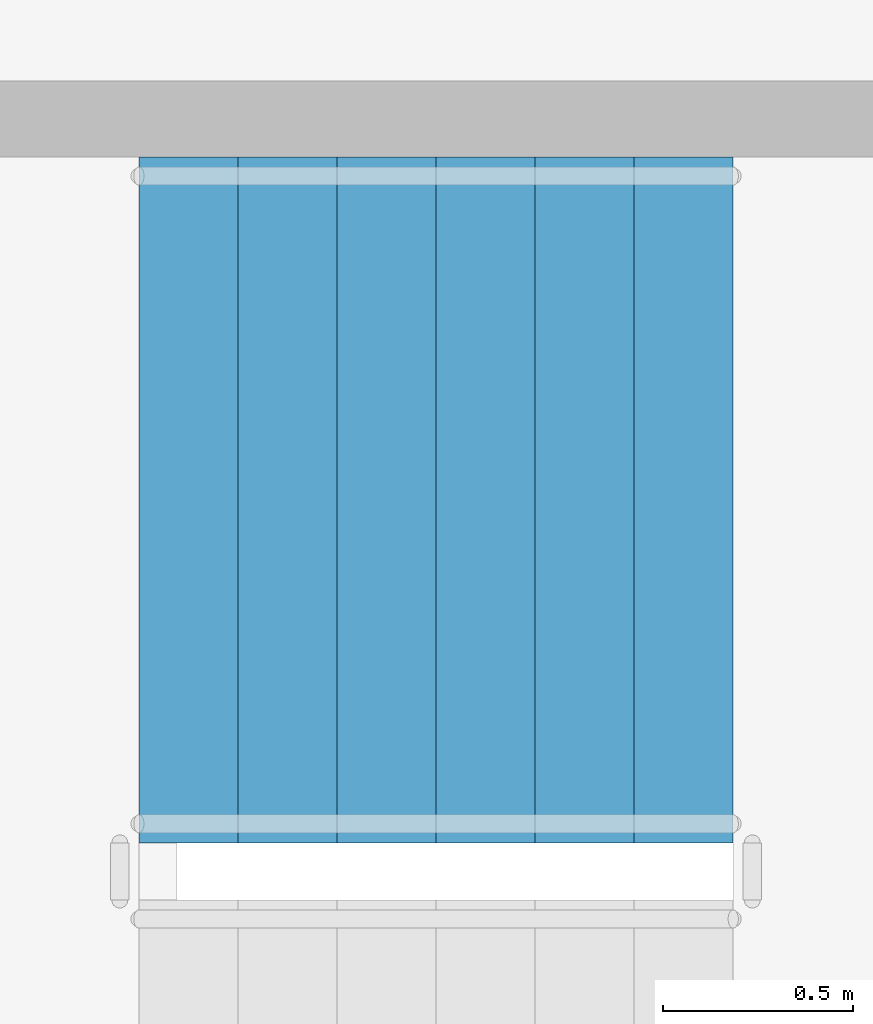
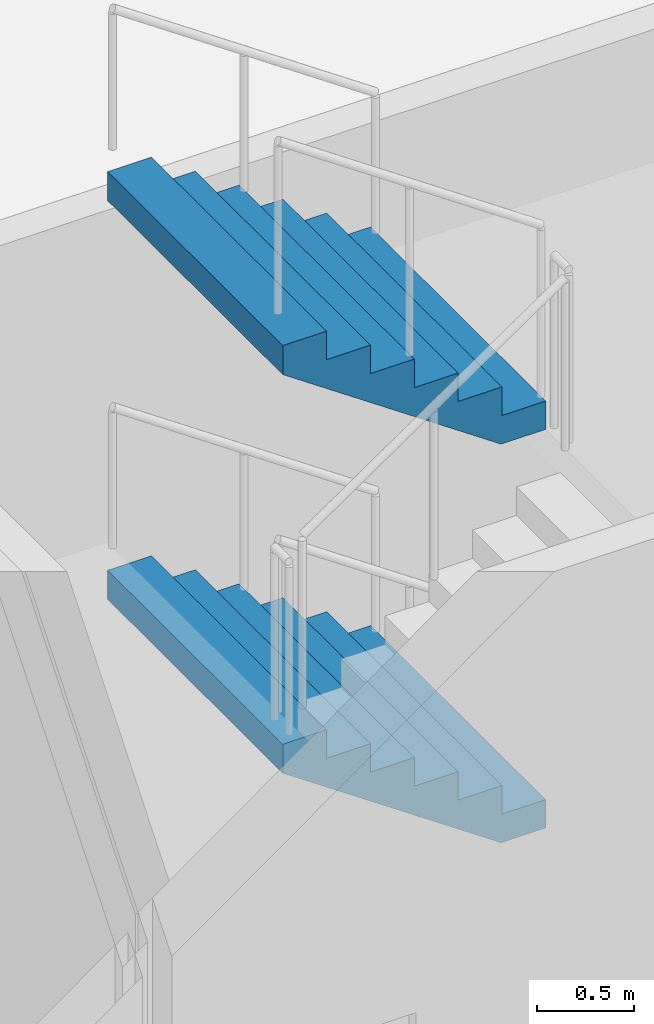
# One storey, part 27 of 59: 2 stair flights, 1 element without a shape of its own.
"""IFC4 building model written with IfcOpenShell, lengths in metres."""

from ifc_helpers import new_model, si_unit, direction, frame, origin, place, context, subcontext, project, spatial, faceted_brep, material, type_object, element, aggregate, save


model = new_model("IFC4")

# Units and contexts
model_context = context("Model", 3, precision=1e-05, world=origin(), true_north=direction((0.0, 1.0)))
body_context = subcontext(model_context, "Body", "Model", "MODEL_VIEW")
ifc_project = project(units=[si_unit("LENGTHUNIT", "METRE"), si_unit("AREAUNIT", "SQUARE_METRE"), si_unit("VOLUMEUNIT", "CUBIC_METRE"), si_unit("PLANEANGLEUNIT", "RADIAN"), si_unit("MASSUNIT", "GRAM", prefix="KILO")], contexts=[model_context])

# Site, building, storey
site_placement = place(None, origin())
site = spatial("IfcSite", under=ifc_project, at=site_placement, CompositionType="ELEMENT")
building_placement = place(site_placement, origin())
building = spatial("IfcBuilding", under=site, at=building_placement, Name="Ipe Terrace Towers", CompositionType="ELEMENT")
storey_placement = place(building_placement, frame((0.0, 0.0, 6.0)))
storey = spatial("IfcBuildingStorey", under=building, at=storey_placement, Name="L01", CompositionType="ELEMENT", Elevation=6.0)

# Stair, stair flights
ifc_material_1 = material(Name="Concrete C30/37", Category="concrete")
stair_type = type_object("IfcStairType", Name="Protected exit stair", PredefinedType="HALF_TURN_STAIR", material=ifc_material_1)
stair_placement = place(storey_placement, origin())
stair = element("IfcStair", 1, at=stair_placement, inside=storey, type_object=stair_type, Name="L01 Podium exit stair PS4", PredefinedType="HALF_TURN_STAIR")
ifc_material_2 = material(Name="Concrete C30/37", Category="concrete")
stair_flight_type = type_object("IfcStairFlightType", Name="Exit stair flight 1800", PredefinedType="STRAIGHT", material=ifc_material_2)
stair_flight_1_placement = place(storey_placement, frame((-55.7099609375, -20.550048828125, 1.25), z_axis=(0.0, 0.0, 1.0), x_axis=(-1.0, 0.0, 0.0)))
stair_flight_1 = element("IfcStairFlight", 2, at=stair_flight_1_placement, type_object=stair_flight_type, Name="PS4 flight 2", NumberOfRisers=7, NumberOfTreads=6, PredefinedType="STRAIGHT", RiserHeight=0.178571429, TreadLength=0.26, context=body_context, shape_type="Brep", body=[
    faceted_brep([(0.264892578125, -0.89990234375, 0.0), (1.56005859375, -0.89990234375, 0.8896484375), (1.56005859375, -0.89990234375, 1.071533203125), (1.300048828125, -0.89990234375, 1.071533203125), (1.300048828125, -0.89990234375, 0.892822265625), (1.0400390625, -0.89990234375, 0.892822265625), (1.0400390625, -0.89990234375, 0.71435546875), (0.780029296875, -0.89990234375, 0.71435546875), (0.780029296875, -0.89990234375, 0.53564453125), (0.52001953125, -0.89990234375, 0.53564453125), (0.52001953125, -0.89990234375, 0.357177734375), (0.260009765625, -0.89990234375, 0.357177734375), (0.260009765625, -0.89990234375, 0.178466796875), (0.0, -0.89990234375, 0.178466796875), (0.0, -0.89990234375, 0.0), (0.0, 0.89990234375, 0.0), (0.0, 0.89990234375, 0.178466796875), (0.260009765625, 0.89990234375, 0.178466796875), (0.260009765625, 0.89990234375, 0.357177734375), (0.52001953125, 0.89990234375, 0.357177734375), (0.52001953125, 0.89990234375, 0.53564453125), (0.780029296875, 0.89990234375, 0.53564453125), (0.780029296875, 0.89990234375, 0.71435546875), (1.0400390625, 0.89990234375, 0.71435546875), (1.0400390625, 0.89990234375, 0.892822265625), (1.300048828125, 0.89990234375, 0.892822265625), (1.300048828125, 0.89990234375, 1.071533203125), (1.56005859375, 0.89990234375, 1.071533203125), (1.56005859375, 0.89990234375, 0.8896484375), (0.264892578125, 0.89990234375, 0.0), (0.0, -0.300048828125, 0.178466796875), (0.0, -0.1201171875, 0.178466796875), (0.0, -0.06005859375, 0.178466796875), (0.0, -0.030029296875, 0.178466796875), (0.0, -0.010009765625, 0.178466796875), (0.0, 0.0, 0.178466796875), (0.0, 0.010009765625, 0.178466796875), (0.0, 0.030029296875, 0.178466796875), (0.0, 0.06005859375, 0.178466796875), (0.0, 0.1201171875, 0.178466796875), (0.0, 0.300048828125, 0.178466796875), (0.0, 0.300048828125, 0.0), (0.0, 0.1201171875, 0.0), (0.0, 0.06005859375, 0.0), (0.0, 0.030029296875, 0.0), (0.0, 0.010009765625, 0.0), (0.0, 0.0, 0.0), (0.0, -0.010009765625, 0.0), (0.0, -0.030029296875, 0.0), (0.0, -0.06005859375, 0.0), (0.0, -0.1201171875, 0.0), (0.0, -0.300048828125, 0.0), (0.260009765625, -0.300048828125, 0.178466796875), (0.260009765625, -0.1201171875, 0.178466796875), (0.260009765625, -0.06005859375, 0.178466796875), (0.260009765625, -0.030029296875, 0.178466796875), (0.260009765625, -0.010009765625, 0.178466796875), (0.260009765625, 0.0, 0.178466796875), (0.260009765625, 0.010009765625, 0.178466796875), (0.260009765625, 0.030029296875, 0.178466796875), (0.260009765625, 0.06005859375, 0.178466796875), (0.260009765625, 0.1201171875, 0.178466796875), (0.260009765625, 0.300048828125, 0.178466796875), (0.260009765625, -0.300048828125, 0.357177734375), (0.260009765625, -0.1201171875, 0.357177734375), (0.260009765625, -0.06005859375, 0.357177734375), (0.260009765625, -0.030029296875, 0.357177734375), (0.260009765625, -0.010009765625, 0.357177734375), (0.260009765625, 0.0, 0.357177734375), (0.260009765625, 0.010009765625, 0.357177734375), (0.260009765625, 0.030029296875, 0.357177734375), (0.260009765625, 0.06005859375, 0.357177734375), (0.260009765625, 0.1201171875, 0.357177734375), (0.260009765625, 0.300048828125, 0.357177734375), (0.52001953125, -0.300048828125, 0.357177734375), (0.52001953125, -0.1201171875, 0.357177734375), (0.52001953125, -0.06005859375, 0.357177734375), (0.52001953125, -0.030029296875, 0.357177734375), (0.52001953125, -0.010009765625, 0.357177734375), (0.52001953125, 0.0, 0.357177734375), (0.52001953125, 0.010009765625, 0.357177734375), (0.52001953125, 0.030029296875, 0.357177734375), (0.52001953125, 0.06005859375, 0.357177734375), (0.52001953125, 0.1201171875, 0.357177734375), (0.52001953125, 0.300048828125, 0.357177734375), (0.52001953125, -0.300048828125, 0.53564453125), (0.52001953125, -0.1201171875, 0.53564453125), (0.52001953125, -0.06005859375, 0.53564453125), (0.52001953125, -0.030029296875, 0.53564453125), (0.52001953125, -0.010009765625, 0.53564453125), (0.52001953125, 0.0, 0.53564453125), (0.52001953125, 0.010009765625, 0.53564453125), (0.52001953125, 0.030029296875, 0.53564453125), (0.52001953125, 0.06005859375, 0.53564453125), (0.52001953125, 0.1201171875, 0.53564453125), (0.52001953125, 0.300048828125, 0.53564453125), (0.780029296875, -0.300048828125, 0.53564453125), (0.780029296875, -0.1201171875, 0.53564453125), (0.780029296875, -0.06005859375, 0.53564453125), (0.780029296875, -0.030029296875, 0.53564453125), (0.780029296875, -0.010009765625, 0.53564453125), (0.780029296875, 0.0, 0.53564453125), (0.780029296875, 0.010009765625, 0.53564453125), (0.780029296875, 0.030029296875, 0.53564453125), (0.780029296875, 0.06005859375, 0.53564453125), (0.780029296875, 0.1201171875, 0.53564453125), (0.780029296875, 0.300048828125, 0.53564453125), (0.780029296875, -0.300048828125, 0.71435546875), (0.780029296875, -0.1201171875, 0.71435546875), (0.780029296875, -0.06005859375, 0.71435546875), (0.780029296875, -0.030029296875, 0.71435546875), (0.780029296875, -0.010009765625, 0.71435546875), (0.780029296875, 0.0, 0.71435546875), (0.780029296875, 0.010009765625, 0.71435546875), (0.780029296875, 0.030029296875, 0.71435546875), (0.780029296875, 0.06005859375, 0.71435546875), (0.780029296875, 0.1201171875, 0.71435546875), (0.780029296875, 0.300048828125, 0.71435546875), (1.0400390625, -0.300048828125, 0.71435546875), (1.0400390625, -0.1201171875, 0.71435546875), (1.0400390625, -0.06005859375, 0.71435546875), (1.0400390625, -0.030029296875, 0.71435546875), (1.0400390625, -0.010009765625, 0.71435546875), (1.0400390625, 0.0, 0.71435546875), (1.0400390625, 0.010009765625, 0.71435546875), (1.0400390625, 0.030029296875, 0.71435546875), (1.0400390625, 0.06005859375, 0.71435546875), (1.0400390625, 0.1201171875, 0.71435546875), (1.0400390625, 0.300048828125, 0.71435546875), (1.0400390625, -0.300048828125, 0.892822265625), (1.0400390625, -0.1201171875, 0.892822265625), (1.0400390625, -0.06005859375, 0.892822265625), (1.0400390625, -0.030029296875, 0.892822265625), (1.0400390625, -0.010009765625, 0.892822265625), (1.0400390625, 0.0, 0.892822265625), (1.0400390625, 0.010009765625, 0.892822265625), (1.0400390625, 0.030029296875, 0.892822265625), (1.0400390625, 0.06005859375, 0.892822265625), (1.0400390625, 0.1201171875, 0.892822265625), (1.0400390625, 0.300048828125, 0.892822265625), (1.300048828125, -0.300048828125, 0.892822265625), (1.300048828125, -0.1201171875, 0.892822265625), (1.300048828125, -0.06005859375, 0.892822265625), (1.300048828125, -0.030029296875, 0.892822265625), (1.300048828125, -0.010009765625, 0.892822265625), (1.300048828125, 0.0, 0.892822265625), (1.300048828125, 0.010009765625, 0.892822265625), (1.300048828125, 0.030029296875, 0.892822265625), (1.300048828125, 0.06005859375, 0.892822265625), (1.300048828125, 0.1201171875, 0.892822265625), (1.300048828125, 0.300048828125, 0.892822265625), (1.300048828125, -0.300048828125, 1.071533203125), (1.300048828125, -0.1201171875, 1.071533203125), (1.300048828125, -0.06005859375, 1.071533203125), (1.300048828125, -0.030029296875, 1.071533203125), (1.300048828125, -0.010009765625, 1.071533203125), (1.300048828125, 0.0, 1.071533203125), (1.300048828125, 0.010009765625, 1.071533203125), (1.300048828125, 0.030029296875, 1.071533203125), (1.300048828125, 0.06005859375, 1.071533203125), (1.300048828125, 0.1201171875, 1.071533203125), (1.300048828125, 0.300048828125, 1.071533203125), (1.56005859375, -0.300048828125, 1.071533203125), (1.56005859375, -0.1201171875, 1.071533203125), (1.56005859375, -0.06005859375, 1.071533203125), (1.56005859375, -0.030029296875, 1.071533203125), (1.56005859375, -0.010009765625, 1.071533203125), (1.56005859375, 0.0, 1.071533203125), (1.56005859375, 0.010009765625, 1.071533203125), (1.56005859375, 0.030029296875, 1.071533203125), (1.56005859375, 0.06005859375, 1.071533203125), (1.56005859375, 0.1201171875, 1.071533203125), (1.56005859375, 0.300048828125, 1.071533203125), (1.56005859375, -0.300048828125, 0.8896484375), (1.56005859375, -0.1201171875, 0.8896484375), (1.56005859375, -0.06005859375, 0.8896484375), (1.56005859375, -0.030029296875, 0.8896484375), (1.56005859375, -0.010009765625, 0.8896484375), (1.56005859375, 0.0, 0.8896484375), (1.56005859375, 0.010009765625, 0.8896484375), (1.56005859375, 0.030029296875, 0.8896484375), (1.56005859375, 0.06005859375, 0.8896484375), (1.56005859375, 0.1201171875, 0.8896484375), (1.56005859375, 0.300048828125, 0.8896484375), (0.264892578125, -0.300048828125, 0.0), (0.264892578125, -0.1201171875, 0.0), (0.264892578125, -0.06005859375, 0.0), (0.264892578125, -0.030029296875, 0.0), (0.264892578125, -0.010009765625, 0.0), (0.264892578125, 0.0, 0.0), (0.264892578125, 0.010009765625, 0.0), (0.264892578125, 0.030029296875, 0.0), (0.264892578125, 0.06005859375, 0.0), (0.264892578125, 0.1201171875, 0.0), (0.264892578125, 0.300048828125, 0.0)], [[[0, 1, 2, 3, 4, 5, 6, 7, 8, 9, 10, 11, 12, 13, 14]], [[15, 16, 17, 18, 19, 20, 21, 22, 23, 24, 25, 26, 27, 28, 29]], [[13, 30, 31, 32, 33, 34, 35, 36, 37, 38, 39, 40, 16, 15, 41, 42, 43, 44, 45, 46, 47, 48, 49, 50, 51, 14]], [[12, 52, 53, 54, 55, 56, 57, 58, 59, 60, 61, 62, 17, 16, 40, 39, 38, 37, 36, 35, 34, 33, 32, 31, 30, 13]], [[11, 63, 64, 65, 66, 67, 68, 69, 70, 71, 72, 73, 18, 17, 62, 61, 60, 59, 58, 57, 56, 55, 54, 53, 52, 12]], [[10, 74, 75, 76, 77, 78, 79, 80, 81, 82, 83, 84, 19, 18, 73, 72, 71, 70, 69, 68, 67, 66, 65, 64, 63, 11]], [[9, 85, 86, 87, 88, 89, 90, 91, 92, 93, 94, 95, 20, 19, 84, 83, 82, 81, 80, 79, 78, 77, 76, 75, 74, 10]], [[8, 96, 97, 98, 99, 100, 101, 102, 103, 104, 105, 106, 21, 20, 95, 94, 93, 92, 91, 90, 89, 88, 87, 86, 85, 9]], [[7, 107, 108, 109, 110, 111, 112, 113, 114, 115, 116, 117, 22, 21, 106, 105, 104, 103, 102, 101, 100, 99, 98, 97, 96, 8]], [[6, 118, 119, 120, 121, 122, 123, 124, 125, 126, 127, 128, 23, 22, 117, 116, 115, 114, 113, 112, 111, 110, 109, 108, 107, 7]], [[5, 129, 130, 131, 132, 133, 134, 135, 136, 137, 138, 139, 24, 23, 128, 127, 126, 125, 124, 123, 122, 121, 120, 119, 118, 6]], [[4, 140, 141, 142, 143, 144, 145, 146, 147, 148, 149, 150, 25, 24, 139, 138, 137, 136, 135, 134, 133, 132, 131, 130, 129, 5]], [[3, 151, 152, 153, 154, 155, 156, 157, 158, 159, 160, 161, 26, 25, 150, 149, 148, 147, 146, 145, 144, 143, 142, 141, 140, 4]], [[2, 162, 163, 164, 165, 166, 167, 168, 169, 170, 171, 172, 27, 26, 161, 160, 159, 158, 157, 156, 155, 154, 153, 152, 151, 3]], [[1, 173, 174, 175, 176, 177, 178, 179, 180, 181, 182, 183, 28, 27, 172, 171, 170, 169, 168, 167, 166, 165, 164, 163, 162, 2]], [[0, 184, 185, 186, 187, 188, 189, 190, 191, 192, 193, 194, 29, 28, 183, 182, 181, 180, 179, 178, 177, 176, 175, 174, 173, 1]], [[14, 51, 50, 49, 48, 47, 46, 45, 44, 43, 42, 41, 15, 29, 194, 193, 192, 191, 190, 189, 188, 187, 186, 185, 184, 0]]]),
])
stair_flight_2_placement = place(storey_placement, frame((-55.7099609375, -20.550048828125, 3.75), z_axis=(0.0, 0.0, 1.0), x_axis=(-1.0, 0.0, 0.0)))
stair_flight_2 = element("IfcStairFlight", 3, at=stair_flight_2_placement, type_object=stair_flight_type, Name="PS4 flight 4", NumberOfRisers=7, NumberOfTreads=6, PredefinedType="STRAIGHT", RiserHeight=0.178571429, TreadLength=0.26, context=body_context, shape_type="Brep", body=[
    faceted_brep([(0.264892578125, -0.89990234375, 0.0), (1.56005859375, -0.89990234375, 0.8896484375), (1.56005859375, -0.89990234375, 1.071533203125), (1.300048828125, -0.89990234375, 1.071533203125), (1.300048828125, -0.89990234375, 0.892822265625), (1.0400390625, -0.89990234375, 0.892822265625), (1.0400390625, -0.89990234375, 0.71435546875), (0.780029296875, -0.89990234375, 0.71435546875), (0.780029296875, -0.89990234375, 0.53564453125), (0.52001953125, -0.89990234375, 0.53564453125), (0.52001953125, -0.89990234375, 0.357177734375), (0.260009765625, -0.89990234375, 0.357177734375), (0.260009765625, -0.89990234375, 0.178466796875), (0.0, -0.89990234375, 0.178466796875), (0.0, -0.89990234375, 0.0), (0.0, 0.89990234375, 0.0), (0.0, 0.89990234375, 0.178466796875), (0.260009765625, 0.89990234375, 0.178466796875), (0.260009765625, 0.89990234375, 0.357177734375), (0.52001953125, 0.89990234375, 0.357177734375), (0.52001953125, 0.89990234375, 0.53564453125), (0.780029296875, 0.89990234375, 0.53564453125), (0.780029296875, 0.89990234375, 0.71435546875), (1.0400390625, 0.89990234375, 0.71435546875), (1.0400390625, 0.89990234375, 0.892822265625), (1.300048828125, 0.89990234375, 0.892822265625), (1.300048828125, 0.89990234375, 1.071533203125), (1.56005859375, 0.89990234375, 1.071533203125), (1.56005859375, 0.89990234375, 0.8896484375), (0.264892578125, 0.89990234375, 0.0), (0.0, -0.300048828125, 0.178466796875), (0.0, -0.1201171875, 0.178466796875), (0.0, -0.06005859375, 0.178466796875), (0.0, -0.030029296875, 0.178466796875), (0.0, -0.010009765625, 0.178466796875), (0.0, 0.0, 0.178466796875), (0.0, 0.010009765625, 0.178466796875), (0.0, 0.030029296875, 0.178466796875), (0.0, 0.06005859375, 0.178466796875), (0.0, 0.1201171875, 0.178466796875), (0.0, 0.300048828125, 0.178466796875), (0.0, 0.300048828125, 0.0), (0.0, 0.1201171875, 0.0), (0.0, 0.06005859375, 0.0), (0.0, 0.030029296875, 0.0), (0.0, 0.010009765625, 0.0), (0.0, 0.0, 0.0), (0.0, -0.010009765625, 0.0), (0.0, -0.030029296875, 0.0), (0.0, -0.06005859375, 0.0), (0.0, -0.1201171875, 0.0), (0.0, -0.300048828125, 0.0), (0.260009765625, -0.300048828125, 0.178466796875), (0.260009765625, -0.1201171875, 0.178466796875), (0.260009765625, -0.06005859375, 0.178466796875), (0.260009765625, -0.030029296875, 0.178466796875), (0.260009765625, -0.010009765625, 0.178466796875), (0.260009765625, 0.0, 0.178466796875), (0.260009765625, 0.010009765625, 0.178466796875), (0.260009765625, 0.030029296875, 0.178466796875), (0.260009765625, 0.06005859375, 0.178466796875), (0.260009765625, 0.1201171875, 0.178466796875), (0.260009765625, 0.300048828125, 0.178466796875), (0.260009765625, -0.300048828125, 0.357177734375), (0.260009765625, -0.1201171875, 0.357177734375), (0.260009765625, -0.06005859375, 0.357177734375), (0.260009765625, -0.030029296875, 0.357177734375), (0.260009765625, -0.010009765625, 0.357177734375), (0.260009765625, 0.0, 0.357177734375), (0.260009765625, 0.010009765625, 0.357177734375), (0.260009765625, 0.030029296875, 0.357177734375), (0.260009765625, 0.06005859375, 0.357177734375), (0.260009765625, 0.1201171875, 0.357177734375), (0.260009765625, 0.300048828125, 0.357177734375), (0.52001953125, -0.300048828125, 0.357177734375), (0.52001953125, -0.1201171875, 0.357177734375), (0.52001953125, -0.06005859375, 0.357177734375), (0.52001953125, -0.030029296875, 0.357177734375), (0.52001953125, -0.010009765625, 0.357177734375), (0.52001953125, 0.0, 0.357177734375), (0.52001953125, 0.010009765625, 0.357177734375), (0.52001953125, 0.030029296875, 0.357177734375), (0.52001953125, 0.06005859375, 0.357177734375), (0.52001953125, 0.1201171875, 0.357177734375), (0.52001953125, 0.300048828125, 0.357177734375), (0.52001953125, -0.300048828125, 0.53564453125), (0.52001953125, -0.1201171875, 0.53564453125), (0.52001953125, -0.06005859375, 0.53564453125), (0.52001953125, -0.030029296875, 0.53564453125), (0.52001953125, -0.010009765625, 0.53564453125), (0.52001953125, 0.0, 0.53564453125), (0.52001953125, 0.010009765625, 0.53564453125), (0.52001953125, 0.030029296875, 0.53564453125), (0.52001953125, 0.06005859375, 0.53564453125), (0.52001953125, 0.1201171875, 0.53564453125), (0.52001953125, 0.300048828125, 0.53564453125), (0.780029296875, -0.300048828125, 0.53564453125), (0.780029296875, -0.1201171875, 0.53564453125), (0.780029296875, -0.06005859375, 0.53564453125), (0.780029296875, -0.030029296875, 0.53564453125), (0.780029296875, -0.010009765625, 0.53564453125), (0.780029296875, 0.0, 0.53564453125), (0.780029296875, 0.010009765625, 0.53564453125), (0.780029296875, 0.030029296875, 0.53564453125), (0.780029296875, 0.06005859375, 0.53564453125), (0.780029296875, 0.1201171875, 0.53564453125), (0.780029296875, 0.300048828125, 0.53564453125), (0.780029296875, -0.300048828125, 0.71435546875), (0.780029296875, -0.1201171875, 0.71435546875), (0.780029296875, -0.06005859375, 0.71435546875), (0.780029296875, -0.030029296875, 0.71435546875), (0.780029296875, -0.010009765625, 0.71435546875), (0.780029296875, 0.0, 0.71435546875), (0.780029296875, 0.010009765625, 0.71435546875), (0.780029296875, 0.030029296875, 0.71435546875), (0.780029296875, 0.06005859375, 0.71435546875), (0.780029296875, 0.1201171875, 0.71435546875), (0.780029296875, 0.300048828125, 0.71435546875), (1.0400390625, -0.300048828125, 0.71435546875), (1.0400390625, -0.1201171875, 0.71435546875), (1.0400390625, -0.06005859375, 0.71435546875), (1.0400390625, -0.030029296875, 0.71435546875), (1.0400390625, -0.010009765625, 0.71435546875), (1.0400390625, 0.0, 0.71435546875), (1.0400390625, 0.010009765625, 0.71435546875), (1.0400390625, 0.030029296875, 0.71435546875), (1.0400390625, 0.06005859375, 0.71435546875), (1.0400390625, 0.1201171875, 0.71435546875), (1.0400390625, 0.300048828125, 0.71435546875), (1.0400390625, -0.300048828125, 0.892822265625), (1.0400390625, -0.1201171875, 0.892822265625), (1.0400390625, -0.06005859375, 0.892822265625), (1.0400390625, -0.030029296875, 0.892822265625), (1.0400390625, -0.010009765625, 0.892822265625), (1.0400390625, 0.0, 0.892822265625), (1.0400390625, 0.010009765625, 0.892822265625), (1.0400390625, 0.030029296875, 0.892822265625), (1.0400390625, 0.06005859375, 0.892822265625), (1.0400390625, 0.1201171875, 0.892822265625), (1.0400390625, 0.300048828125, 0.892822265625), (1.300048828125, -0.300048828125, 0.892822265625), (1.300048828125, -0.1201171875, 0.892822265625), (1.300048828125, -0.06005859375, 0.892822265625), (1.300048828125, -0.030029296875, 0.892822265625), (1.300048828125, -0.010009765625, 0.892822265625), (1.300048828125, 0.0, 0.892822265625), (1.300048828125, 0.010009765625, 0.892822265625), (1.300048828125, 0.030029296875, 0.892822265625), (1.300048828125, 0.06005859375, 0.892822265625), (1.300048828125, 0.1201171875, 0.892822265625), (1.300048828125, 0.300048828125, 0.892822265625), (1.300048828125, -0.300048828125, 1.071533203125), (1.300048828125, -0.1201171875, 1.071533203125), (1.300048828125, -0.06005859375, 1.071533203125), (1.300048828125, -0.030029296875, 1.071533203125), (1.300048828125, -0.010009765625, 1.071533203125), (1.300048828125, 0.0, 1.071533203125), (1.300048828125, 0.010009765625, 1.071533203125), (1.300048828125, 0.030029296875, 1.071533203125), (1.300048828125, 0.06005859375, 1.071533203125), (1.300048828125, 0.1201171875, 1.071533203125), (1.300048828125, 0.300048828125, 1.071533203125), (1.56005859375, -0.300048828125, 1.071533203125), (1.56005859375, -0.1201171875, 1.071533203125), (1.56005859375, -0.06005859375, 1.071533203125), (1.56005859375, -0.030029296875, 1.071533203125), (1.56005859375, -0.010009765625, 1.071533203125), (1.56005859375, 0.0, 1.071533203125), (1.56005859375, 0.010009765625, 1.071533203125), (1.56005859375, 0.030029296875, 1.071533203125), (1.56005859375, 0.06005859375, 1.071533203125), (1.56005859375, 0.1201171875, 1.071533203125), (1.56005859375, 0.300048828125, 1.071533203125), (1.56005859375, -0.300048828125, 0.8896484375), (1.56005859375, -0.1201171875, 0.8896484375), (1.56005859375, -0.06005859375, 0.8896484375), (1.56005859375, -0.030029296875, 0.8896484375), (1.56005859375, -0.010009765625, 0.8896484375), (1.56005859375, 0.0, 0.8896484375), (1.56005859375, 0.010009765625, 0.8896484375), (1.56005859375, 0.030029296875, 0.8896484375), (1.56005859375, 0.06005859375, 0.8896484375), (1.56005859375, 0.1201171875, 0.8896484375), (1.56005859375, 0.300048828125, 0.8896484375), (0.264892578125, -0.300048828125, 0.0), (0.264892578125, -0.1201171875, 0.0), (0.264892578125, -0.06005859375, 0.0), (0.264892578125, -0.030029296875, 0.0), (0.264892578125, -0.010009765625, 0.0), (0.264892578125, 0.0, 0.0), (0.264892578125, 0.010009765625, 0.0), (0.264892578125, 0.030029296875, 0.0), (0.264892578125, 0.06005859375, 0.0), (0.264892578125, 0.1201171875, 0.0), (0.264892578125, 0.300048828125, 0.0)], [[[0, 1, 2, 3, 4, 5, 6, 7, 8, 9, 10, 11, 12, 13, 14]], [[15, 16, 17, 18, 19, 20, 21, 22, 23, 24, 25, 26, 27, 28, 29]], [[13, 30, 31, 32, 33, 34, 35, 36, 37, 38, 39, 40, 16, 15, 41, 42, 43, 44, 45, 46, 47, 48, 49, 50, 51, 14]], [[12, 52, 53, 54, 55, 56, 57, 58, 59, 60, 61, 62, 17, 16, 40, 39, 38, 37, 36, 35, 34, 33, 32, 31, 30, 13]], [[11, 63, 64, 65, 66, 67, 68, 69, 70, 71, 72, 73, 18, 17, 62, 61, 60, 59, 58, 57, 56, 55, 54, 53, 52, 12]], [[10, 74, 75, 76, 77, 78, 79, 80, 81, 82, 83, 84, 19, 18, 73, 72, 71, 70, 69, 68, 67, 66, 65, 64, 63, 11]], [[9, 85, 86, 87, 88, 89, 90, 91, 92, 93, 94, 95, 20, 19, 84, 83, 82, 81, 80, 79, 78, 77, 76, 75, 74, 10]], [[8, 96, 97, 98, 99, 100, 101, 102, 103, 104, 105, 106, 21, 20, 95, 94, 93, 92, 91, 90, 89, 88, 87, 86, 85, 9]], [[7, 107, 108, 109, 110, 111, 112, 113, 114, 115, 116, 117, 22, 21, 106, 105, 104, 103, 102, 101, 100, 99, 98, 97, 96, 8]], [[6, 118, 119, 120, 121, 122, 123, 124, 125, 126, 127, 128, 23, 22, 117, 116, 115, 114, 113, 112, 111, 110, 109, 108, 107, 7]], [[5, 129, 130, 131, 132, 133, 134, 135, 136, 137, 138, 139, 24, 23, 128, 127, 126, 125, 124, 123, 122, 121, 120, 119, 118, 6]], [[4, 140, 141, 142, 143, 144, 145, 146, 147, 148, 149, 150, 25, 24, 139, 138, 137, 136, 135, 134, 133, 132, 131, 130, 129, 5]], [[3, 151, 152, 153, 154, 155, 156, 157, 158, 159, 160, 161, 26, 25, 150, 149, 148, 147, 146, 145, 144, 143, 142, 141, 140, 4]], [[2, 162, 163, 164, 165, 166, 167, 168, 169, 170, 171, 172, 27, 26, 161, 160, 159, 158, 157, 156, 155, 154, 153, 152, 151, 3]], [[1, 173, 174, 175, 176, 177, 178, 179, 180, 181, 182, 183, 28, 27, 172, 171, 170, 169, 168, 167, 166, 165, 164, 163, 162, 2]], [[0, 184, 185, 186, 187, 188, 189, 190, 191, 192, 193, 194, 29, 28, 183, 182, 181, 180, 179, 178, 177, 176, 175, 174, 173, 1]], [[14, 51, 50, 49, 48, 47, 46, 45, 44, 43, 42, 41, 15, 29, 194, 193, 192, 191, 190, 189, 188, 187, 186, 185, 184, 0]]]),
])
aggregate(stair, [stair_flight_1, stair_flight_2])

save(model, "model.ifc")
